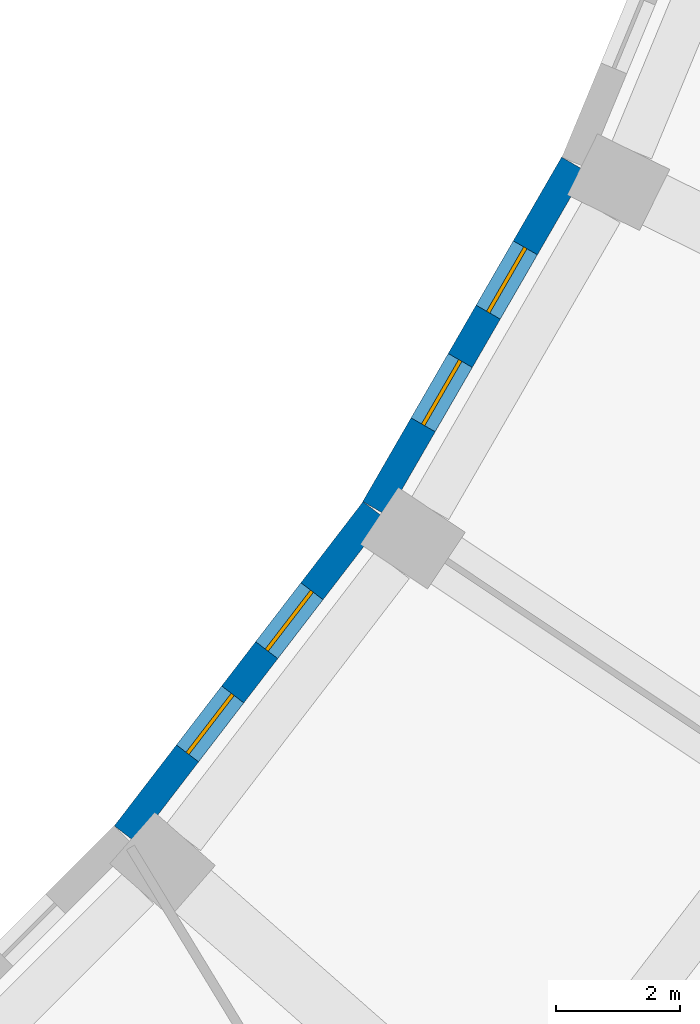
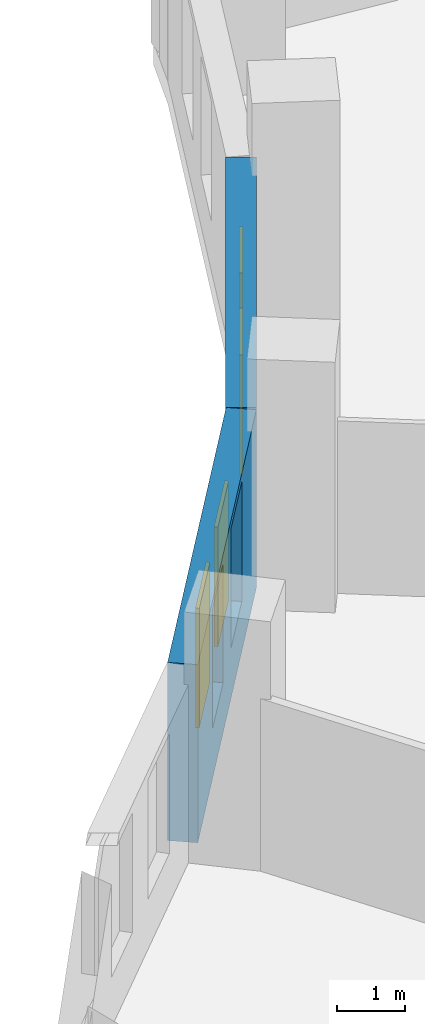
# One storey, part 12 of 19: 4 windows, 2 walls, 4 openings.
"""IFC4 building model written with IfcOpenShell, lengths in metres."""

from ifc_helpers import new_model, si_unit, direction, frame, frame_2d, origin, place, context, subcontext, project, spatial, rectangle, extrude, material, layer, layer_set, type_object, element, fill, save


model = new_model("IFC4")

# Units and contexts
model_context = context("Model", 3, precision=1e-05, world=origin(), true_north=direction((0.0, 1.0)))
body_context = subcontext(model_context, "Body", "Model", "MODEL_VIEW")
ifc_project = project(units=[si_unit("LENGTHUNIT", "METRE"), si_unit("AREAUNIT", "SQUARE_METRE"), si_unit("VOLUMEUNIT", "CUBIC_METRE"), si_unit("PLANEANGLEUNIT", "RADIAN"), si_unit("MASSUNIT", "GRAM", prefix="KILO")], contexts=[model_context])

# Site, building, storey
site_placement = place(None, origin())
site = spatial("IfcSite", under=ifc_project, at=site_placement, CompositionType="ELEMENT")
building_placement = place(site_placement, origin())
building = spatial("IfcBuilding", under=site, at=building_placement, Name="Qamariyya Broadcast Tower", CompositionType="ELEMENT")
storey_placement = place(building_placement, frame((0.0, 0.0, 36.0)))
storey = spatial("IfcBuildingStorey", under=building, at=storey_placement, Name="L05", CompositionType="ELEMENT", Elevation=36.0)

# Wall, openings, windows
ifc_material_1 = material(Name="Precast concrete C40/50 with terracotta facing", Category="masonry")
ifc_layer = layer(ifc_material_1, 0.449951171875)
ifc_layer_set = layer_set([ifc_layer], Name="Precast concrete C40/50 wall 450, terracotta faced")
wall_type = type_object("IfcWallType", Name="Precast concrete C40/50 wall 450, terracotta faced", PredefinedType="SOLIDWALL", material=ifc_layer_set)
wall_1_placement = place(storey_placement, frame((41.5712890625, -27.7412109375, 0.0), z_axis=(0.0, 0.0, 1.0), x_axis=(-0.608780327927, -0.793338838284, 0.0)))
wall_1 = element("IfcWall", 1, at=wall_1_placement, inside=storey, type_object=wall_type, Name="e-wl-L05-in170", PredefinedType="SOLIDWALL", context=body_context, shape_type="SweptSolid", body=[
    extrude(rectangle(XDim=6.596923828125, YDim=0.449951171875, at=frame_2d((3.29833984375, 0.0))), origin(), (0.0, 0.0, 1.0), 3.199951171875),
])
opening_1_placement = place(wall_1_placement, frame((3.74853515625, 0.0, 0.89990234375)))
opening_1 = element("IfcOpeningElement", 2, at=opening_1_placement, cuts=wall_1, Name="Opening W3", PredefinedType="OPENING", context=body_context, shape_type="SweptSolid", body=[
    extrude(rectangle(XDim=1.199951171875, YDim=2.14990234375, at=frame_2d((0.60009765625, 1.074951171875))), frame((0.0, 0.23486328125, 0.0), z_axis=(0.0, -1.0, 0.0), x_axis=(1.0, 0.0, 0.0)), (0.0, 0.0, 1.0), 0.469970703125),
])
opening_2_placement = place(wall_1_placement, frame((1.6484375, 0.0, 0.89990234375)))
opening_2 = element("IfcOpeningElement", 3, at=opening_2_placement, cuts=wall_1, Name="Opening W3", PredefinedType="OPENING", context=body_context, shape_type="SweptSolid", body=[
    extrude(rectangle(XDim=1.199951171875, YDim=2.14990234375, at=frame_2d((0.60009765625, 1.074951171875))), frame((0.0, 0.23486328125, 0.0), z_axis=(0.0, -1.0, 0.0), x_axis=(1.0, 0.0, 0.0)), (0.0, 0.0, 1.0), 0.469970703125),
])
ifc_material_2 = material(Name="Clear low-e double glazed unit in aluminium frame", Category="aluminium")
window_type = type_object("IfcWindowType", Name="Podium window 1200 x 2150", PartitioningType="SINGLE_PANEL", PredefinedType="WINDOW", material=ifc_material_2)
window_1_placement = place(opening_1_placement, origin())
window_1 = element("IfcWindow", 4, at=window_1_placement, inside=storey, type_object=window_type, Name="e-w-L05-in17a", OverallHeight=2.14990234375, OverallWidth=1.199951171875, PartitioningType="SINGLE_PANEL", PredefinedType="WINDOW", context=body_context, shape_type="SweptSolid", body=[
    extrude(rectangle(XDim=1.199951171875, YDim=2.14990234375, at=frame_2d((0.60009765625, 1.074951171875))), frame((0.0, 0.030029296875, 0.0), z_axis=(0.0, -1.0, 0.0), x_axis=(1.0, 0.0, 0.0)), (0.0, 0.0, 1.0), 0.06005859375),
])
fill(opening_1, window_1)
window_2_placement = place(opening_2_placement, origin())
window_2 = element("IfcWindow", 5, at=window_2_placement, inside=storey, type_object=window_type, Name="e-w-L05-in17b", OverallHeight=2.14990234375, OverallWidth=1.199951171875, PartitioningType="SINGLE_PANEL", PredefinedType="WINDOW", context=body_context, shape_type="SweptSolid", body=[
    extrude(rectangle(XDim=1.199951171875, YDim=2.14990234375, at=frame_2d((0.60009765625, 1.074951171875))), frame((0.0, 0.030029296875, 0.0), z_axis=(0.0, -1.0, 0.0), x_axis=(1.0, 0.0, 0.0)), (0.0, 0.0, 1.0), 0.06005859375),
])
fill(opening_2, window_2)

wall_2_placement = place(storey_placement, frame((44.792236328125, -22.154541015625, 0.0), z_axis=(0.0, 0.0, 1.0), x_axis=(-0.50000447882, -0.866022817921, 0.0)))
wall_2 = element("IfcWall", 6, at=wall_2_placement, inside=storey, type_object=wall_type, Name="e-wl-L05-in180", PredefinedType="SOLIDWALL", context=body_context, shape_type="SweptSolid", body=[
    extrude(rectangle(XDim=6.41943359375, YDim=0.449951171875, at=frame_2d((3.209716796875, 0.0))), origin(), (0.0, 0.0, 1.0), 3.199951171875),
])
opening_3_placement = place(wall_2_placement, frame((3.65966796875, 0.0, 0.89990234375)))
opening_3 = element("IfcOpeningElement", 7, at=opening_3_placement, cuts=wall_2, Name="Opening W3", PredefinedType="OPENING", context=body_context, shape_type="SweptSolid", body=[
    extrude(rectangle(XDim=1.199951171875, YDim=2.14990234375, at=frame_2d((0.60009765625, 1.074951171875))), frame((0.0, 0.23486328125, 0.0), z_axis=(0.0, -1.0, 0.0), x_axis=(1.0, 0.0, 0.0)), (0.0, 0.0, 1.0), 0.469970703125),
])
opening_4_placement = place(wall_2_placement, frame((1.5595703125, 0.0, 0.89990234375)))
opening_4 = element("IfcOpeningElement", 8, at=opening_4_placement, cuts=wall_2, Name="Opening W3", PredefinedType="OPENING", context=body_context, shape_type="SweptSolid", body=[
    extrude(rectangle(XDim=1.199951171875, YDim=2.14990234375, at=frame_2d((0.60009765625, 1.074951171875))), frame((0.0, 0.23486328125, 0.0), z_axis=(0.0, -1.0, 0.0), x_axis=(1.0, 0.0, 0.0)), (0.0, 0.0, 1.0), 0.469970703125),
])
window_3_placement = place(opening_3_placement, origin())
window_3 = element("IfcWindow", 9, at=window_3_placement, inside=storey, type_object=window_type, Name="e-w-L05-in18a", OverallHeight=2.14990234375, OverallWidth=1.199951171875, PartitioningType="SINGLE_PANEL", PredefinedType="WINDOW", context=body_context, shape_type="SweptSolid", body=[
    extrude(rectangle(XDim=1.199951171875, YDim=2.14990234375, at=frame_2d((0.60009765625, 1.074951171875))), frame((0.0, 0.030029296875, 0.0), z_axis=(0.0, -1.0, 0.0), x_axis=(1.0, 0.0, 0.0)), (0.0, 0.0, 1.0), 0.06005859375),
])
fill(opening_3, window_3)
window_4_placement = place(opening_4_placement, origin())
window_4 = element("IfcWindow", 10, at=window_4_placement, inside=storey, type_object=window_type, Name="e-w-L05-in18b", OverallHeight=2.14990234375, OverallWidth=1.199951171875, PartitioningType="SINGLE_PANEL", PredefinedType="WINDOW", context=body_context, shape_type="SweptSolid", body=[
    extrude(rectangle(XDim=1.199951171875, YDim=2.14990234375, at=frame_2d((0.60009765625, 1.074951171875))), frame((0.0, 0.030029296875, 0.0), z_axis=(0.0, -1.0, 0.0), x_axis=(1.0, 0.0, 0.0)), (0.0, 0.0, 1.0), 0.06005859375),
])
fill(opening_4, window_4)

save(model, "model.ifc")
